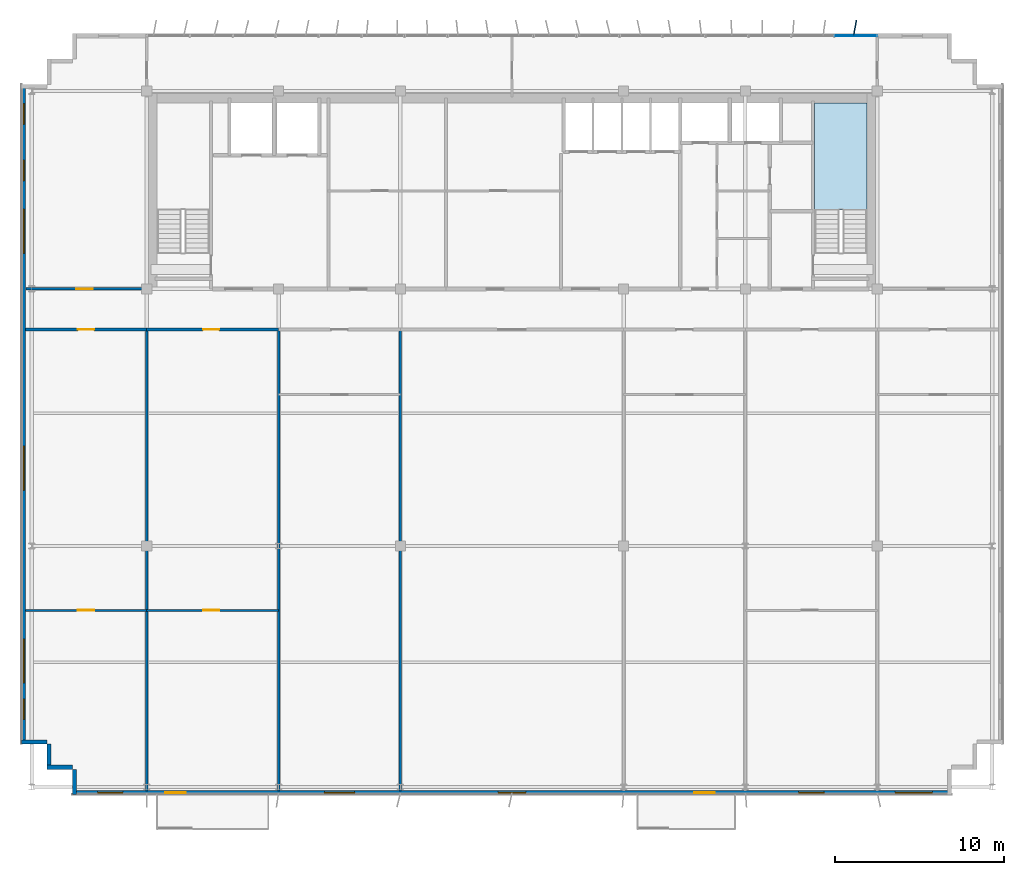
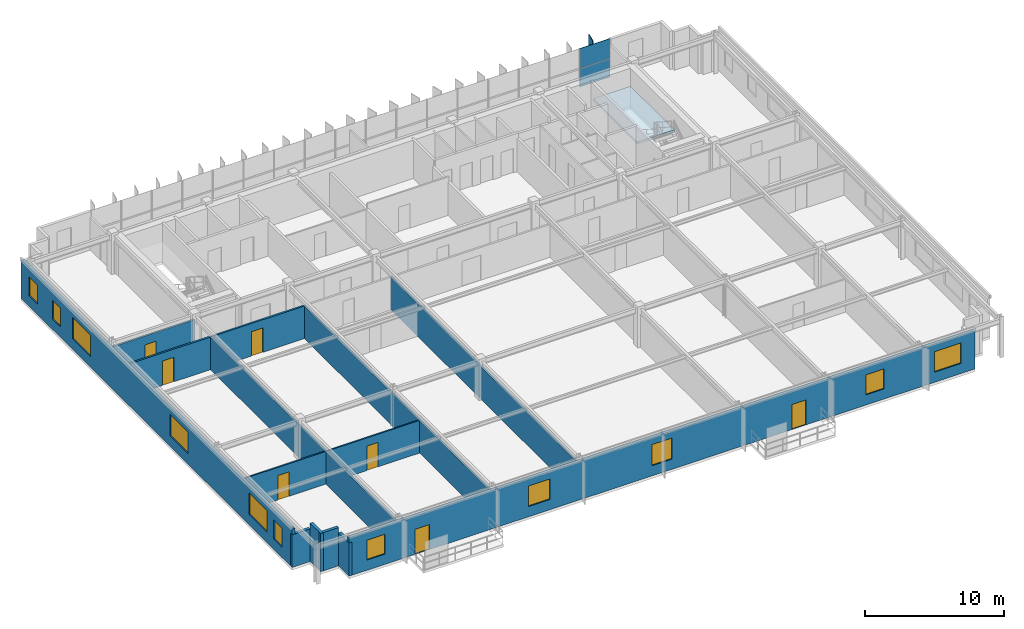
# One storey, part 16 of 21: 14 walls, 11 windows, 7 doors, 3 plates, 1 slab, 18 openings, 2 elements without a shape of their own.
"""IFC4 building model written with IfcOpenShell, lengths in metres."""

from ifc_helpers import new_model, si_unit, direction, frame, frame_2d, origin, origin_2d, place, context, subcontext, project, spatial, polyline, rectangle, outline, extrude, source, transform, mapped, material, layer, layer_set, type_object, element, fill, aggregate, save


model = new_model("IFC4")

# Units and contexts
model_context = context("Model", 3, precision=1e-05, world=origin(), true_north=direction((0.0, 1.0)))
body_context = subcontext(model_context, "Body", "Model", "MODEL_VIEW")
ifc_project = project(units=[si_unit("LENGTHUNIT", "METRE"), si_unit("AREAUNIT", "SQUARE_METRE"), si_unit("VOLUMEUNIT", "CUBIC_METRE"), si_unit("PLANEANGLEUNIT", "RADIAN"), si_unit("MASSUNIT", "GRAM", prefix="KILO")], contexts=[model_context])

# Site, building, storey
site_placement = place(None, origin())
site = spatial("IfcSite", under=ifc_project, at=site_placement, CompositionType="ELEMENT")
building_placement = place(site_placement, origin())
building = spatial("IfcBuilding", under=site, at=building_placement, Name="Trelvane Seafront Commons", CompositionType="ELEMENT")
storey_placement = place(building_placement, frame((0.0, 0.0, 255.89990234375)))
storey = spatial("IfcBuildingStorey", under=building, at=storey_placement, Name="L66", CompositionType="ELEMENT", Elevation=255.89990234375)

# Stair, slab
ifc_material_1 = material(Name="Concrete C40/50", Category="concrete")
stair_type = type_object("IfcStairType", Name="ARCH-STR-ST-2-R20-180", PredefinedType="HALF_TURN_STAIR", material=ifc_material_1)
stair_placement = place(storey_placement, origin())
stair = element("IfcStair", 1, at=stair_placement, inside=storey, type_object=stair_type, Name="L66 East Protected Firefighting Exit Stair ST-2", PredefinedType="HALF_TURN_STAIR")
ifc_layer_1 = layer(ifc_material_1, 0.199951171875, Name="ARCH-LND-200")
ifc_layer_set_1 = layer_set([ifc_layer_1], Name="Concrete C40/50")
slab_type = type_object("IfcSlabType", Name="ARCH-LND-200", PredefinedType="LANDING", material=ifc_layer_set_1)
slab_placement = place(storey_placement, frame((0.0, 0.0, 1.60009765625)))
slab = element("IfcSlab", 2, at=slab_placement, type_object=slab_type, Name="ST-2 landing 1", PredefinedType="LANDING", context=body_context, shape_type="SweptSolid", body=[
    extrude(outline(polyline([(58.199951171875, 38.070068359375), (58.199951171875, 44.39990234375), (55.10009765625, 44.39990234375), (55.10009765625, 38.070068359375), (58.199951171875, 38.070068359375)])), origin(), (0.0, 0.0, 1.0), 0.199951171875),
])
aggregate(stair, [slab])

# Plate
ifc_material_2 = material(Name="Anodised pale-silver aluminium", Category="aluminium")
ifc_layer_2 = layer(ifc_material_2, 0.06005859375, Name="ARCH-PLATE-FIN900")
ifc_layer_set_2 = layer_set([ifc_layer_2], Name="Anodised pale-silver aluminium")
plate_type_1 = type_object("IfcPlateType", Name="ARCH-PLATE-FIN900", PredefinedType="USERDEFINED", material=ifc_layer_set_2)
shared_shape_1 = source(origin(), body_context, "Body", "SweptSolid", [
    extrude(rectangle(XDim=0.89990234375, YDim=0.06005859375, at=origin_2d()), origin(), (0.0, 0.0, 1.0), 3.639892578125),
])
plate_1_placement = place(storey_placement, frame((57.482421875, 48.84228515625, -0.02001953125), z_axis=(0.0, 0.0, 1.0), x_axis=(0.183107234354, 0.983092946128, 0.0)))
element("IfcPlate", 3, at=plate_1_placement, inside=storey, type_object=plate_type_1, Name="FIN-L66-01841", ObjectType="FIN", PredefinedType="USERDEFINED", context=body_context, shape_type="MappedRepresentation", body=[
    mapped(shared_shape_1, transform((0.0, 0.0, 0.0), x_axis=(1.0, 0.0, 0.0), y_axis=(0.0, 1.0, 0.0), z_axis=(0.0, 0.0, 1.0), scale=1.0)),
])

# Curtain wall, plates
curtain_wall_type = type_object("IfcCurtainWallType", Name="ARCH-CW5-UPTOWER", PredefinedType="NOTDEFINED", material=ifc_material_2)
curtain_wall_placement = place(storey_placement, origin())
curtain_wall = element("IfcCurtainWall", 4, at=curtain_wall_placement, inside=storey, type_object=curtain_wall_type, Name="CW-L66-0110", PredefinedType="NOTDEFINED")
ifc_material_3 = material(Name="Low-E coastal double glazing", Category="glass")
ifc_layer_3 = layer(ifc_material_3, 0.033935546875, Name="ARCH-CW-GLAZ-34")
ifc_layer_set_3 = layer_set([ifc_layer_3], Name="Low-E coastal double glazing")
plate_type_2 = type_object("IfcPlateType", Name="ARCH-CW-GLAZ-34", PredefinedType="CURTAIN_PANEL", material=ifc_layer_set_3)
shared_shape_2 = source(origin(), body_context, "Body", "SweptSolid", [
    extrude(rectangle(XDim=2.51708984375, YDim=0.033935546875, at=origin_2d()), origin(), (0.0, 0.0, 1.0), 1.60009765625),
])
plate_2_placement = place(storey_placement, frame((57.529296875, 48.3701171875, 0.0), z_axis=(0.0, 0.0, 1.0), x_axis=(1.0, 0.0, 0.0)))
plate_2 = element("IfcPlate", 5, at=plate_2_placement, type_object=plate_type_2, Name="CW-L66-0110-P16-1", PredefinedType="CURTAIN_PANEL", context=body_context, shape_type="MappedRepresentation", body=[
    mapped(shared_shape_2, transform((0.0, 0.0, 0.0), x_axis=(1.0, 0.0, 0.0), y_axis=(0.0, 1.0, 0.0), z_axis=(0.0, 0.0, 1.0), scale=1.0)),
])
shared_shape_3 = source(origin(), body_context, "Body", "SweptSolid", [
    extrude(rectangle(XDim=2.51708984375, YDim=0.033935546875, at=origin_2d()), origin(), (0.0, 0.0, 1.0), 1.73388671875),
])
plate_3_placement = place(storey_placement, frame((57.529296875, 48.3701171875, 1.63623046875), z_axis=(0.0, 0.0, 1.0), x_axis=(1.0, 0.0, 0.0)))
plate_3 = element("IfcPlate", 6, at=plate_3_placement, type_object=plate_type_2, Name="CW-L66-0110-P16-2", PredefinedType="CURTAIN_PANEL", context=body_context, shape_type="MappedRepresentation", body=[
    mapped(shared_shape_3, transform((0.0, 0.0, 0.0), x_axis=(1.0, 0.0, 0.0), y_axis=(0.0, 1.0, 0.0), z_axis=(0.0, 0.0, 1.0), scale=1.0)),
])
aggregate(curtain_wall, [plate_2, plate_3])

# Walls
ifc_material_4 = material(Name="Precast concrete C40/50", Category="concrete")
ifc_layer_4 = layer(ifc_material_4, 0.239990234375, Name="ARCH-WALL-EXT240")
ifc_layer_set_4 = layer_set([ifc_layer_4], Name="Precast concrete C40/50")
wall_type_1 = type_object("IfcWallType", Name="ARCH-WALL-EXT240", PredefinedType="SOLIDWALL", material=ifc_layer_set_4)
for number, where, z_axis, x_axis, name in (
    (7, (11.199951171875, 5.1201171875, 0.0), (0.0, 0.0, 1.0), (-1.0, 0.0, 0.0), "EW-L66-01321"),
    (8, (9.820068359375, 5.0, 0.0), (0.0, 0.0, 1.0), (0.0, 1.0, 0.0), "EW-L66-01322"),
):
    element("IfcWall", number, at=place(storey_placement, frame(where, z_axis=z_axis, x_axis=x_axis)), inside=storey, type_object=wall_type_1, Name=name, PredefinedType="SOLIDWALL", context=body_context, shape_type="SweptSolid", body=[
        extrude(rectangle(XDim=1.5, YDim=0.239990234375, at=frame_2d((0.75, 0.0))), origin(), (0.0, 0.0, 1.0), 3.3701171875),
    ])
wall_1_placement = place(storey_placement, frame((9.699951171875, 6.6201171875, 0.0), z_axis=(0.0, 0.0, 1.0), x_axis=(-1.0, 0.0, 0.0)))
element("IfcWall", 9, at=wall_1_placement, inside=storey, type_object=wall_type_1, Name="EW-L66-01323", PredefinedType="SOLIDWALL", context=body_context, shape_type="SweptSolid", body=[
    extrude(rectangle(XDim=1.5, YDim=0.239990234375, at=frame_2d((0.75, 0.0))), origin(), (0.0, 0.0, 1.0), 2.8701171875),
])

# Wall, openings, windows
wall_2_placement = place(storey_placement, frame((8.320068359375, 6.5, 0.0), z_axis=(0.0, 0.0, 1.0), x_axis=(0.0, 1.0, 0.0)))
wall_2 = element("IfcWall", 10, at=wall_2_placement, inside=storey, type_object=wall_type_1, Name="EW-L66-01324", PredefinedType="SOLIDWALL", context=body_context, shape_type="SweptSolid", body=[
    extrude(rectangle(XDim=39.0, YDim=0.239990234375, at=frame_2d((19.5, 0.0))), origin(), (0.0, 0.0, 1.0), 3.3701171875),
])
opening_1_placement = place(wall_2_placement, frame((1.449951171875, 0.0, 0.919921875)))
opening_1 = element("IfcOpeningElement", 11, at=opening_1_placement, cuts=wall_2, Name="Opening W05", PredefinedType="OPENING", context=body_context, shape_type="SweptSolid", body=[
    extrude(rectangle(XDim=1.199951171875, YDim=1.64990234375, at=frame_2d((0.60009765625, 0.824951171875))), frame((0.0, 0.1298828125, 0.0), z_axis=(0.0, -1.0, 0.0), x_axis=(1.0, 0.0, 0.0)), (0.0, 0.0, 1.0), 0.260009765625),
])
opening_2_placement = place(wall_2_placement, frame((3.60009765625, 0.0, 0.919921875)))
opening_2 = element("IfcOpeningElement", 12, at=opening_2_placement, cuts=wall_2, Name="Opening W04", PredefinedType="OPENING", context=body_context, shape_type="SweptSolid", body=[
    extrude(rectangle(XDim=2.60009765625, YDim=1.89990234375, at=frame_2d((1.300048828125, 0.949951171875))), frame((0.0, 0.1298828125, 0.0), z_axis=(0.0, -1.0, 0.0), x_axis=(1.0, 0.0, 0.0)), (0.0, 0.0, 1.0), 0.260009765625),
])
opening_3_placement = place(wall_2_placement, frame((15.0, 0.0, 0.919921875)))
opening_3 = element("IfcOpeningElement", 13, at=opening_3_placement, cuts=wall_2, Name="Opening W04", PredefinedType="OPENING", context=body_context, shape_type="SweptSolid", body=[
    extrude(rectangle(XDim=2.60009765625, YDim=1.89990234375, at=frame_2d((1.300048828125, 0.949951171875))), frame((0.0, 0.1298828125, 0.0), z_axis=(0.0, -1.0, 0.0), x_axis=(1.0, 0.0, 0.0)), (0.0, 0.0, 1.0), 0.260009765625),
])
opening_4_placement = place(wall_2_placement, frame((29.0, 0.0, 0.919921875)))
opening_4 = element("IfcOpeningElement", 14, at=opening_4_placement, cuts=wall_2, Name="Opening W04", PredefinedType="OPENING", context=body_context, shape_type="SweptSolid", body=[
    extrude(rectangle(XDim=2.60009765625, YDim=1.89990234375, at=frame_2d((1.300048828125, 0.949951171875))), frame((0.0, 0.1298828125, 0.0), z_axis=(0.0, -1.0, 0.0), x_axis=(1.0, 0.0, 0.0)), (0.0, 0.0, 1.0), 0.260009765625),
])
opening_5_placement = place(wall_2_placement, frame((33.300048828125, 0.0, 0.919921875)))
opening_5 = element("IfcOpeningElement", 15, at=opening_5_placement, cuts=wall_2, Name="Opening W05", PredefinedType="OPENING", context=body_context, shape_type="SweptSolid", body=[
    extrude(rectangle(XDim=1.199951171875, YDim=1.64990234375, at=frame_2d((0.60009765625, 0.824951171875))), frame((0.0, 0.1298828125, 0.0), z_axis=(0.0, -1.0, 0.0), x_axis=(1.0, 0.0, 0.0)), (0.0, 0.0, 1.0), 0.260009765625),
])
opening_6_placement = place(wall_2_placement, frame((36.64990234375, 0.0, 0.919921875)))
opening_6 = element("IfcOpeningElement", 16, at=opening_6_placement, cuts=wall_2, Name="Opening W05", PredefinedType="OPENING", context=body_context, shape_type="SweptSolid", body=[
    extrude(rectangle(XDim=1.199951171875, YDim=1.64990234375, at=frame_2d((0.60009765625, 0.824951171875))), frame((0.0, 0.1298828125, 0.0), z_axis=(0.0, -1.0, 0.0), x_axis=(1.0, 0.0, 0.0)), (0.0, 0.0, 1.0), 0.260009765625),
])
window_type_1 = type_object("IfcWindowType", Name="ARCH-WIN-W04", PartitioningType="SINGLE_PANEL", PredefinedType="WINDOW", material=ifc_material_3)
shared_shape_4 = source(origin(), body_context, "Body", "SweptSolid", [
    extrude(rectangle(XDim=2.60009765625, YDim=1.89990234375, at=frame_2d((1.300048828125, 0.949951171875))), frame((0.0, 0.030029296875, 0.0), z_axis=(0.0, -1.0, 0.0), x_axis=(1.0, 0.0, 0.0)), (0.0, 0.0, 1.0), 0.06005859375),
])
window_1_placement = place(opening_2_placement, origin())
window_1 = element("IfcWindow", 17, at=window_1_placement, inside=storey, type_object=window_type_1, Name="WIN-L66-EW-01577", OverallHeight=1.89990234375, OverallWidth=2.60009765625, PartitioningType="SINGLE_PANEL", PredefinedType="WINDOW", context=body_context, shape_type="MappedRepresentation", body=[
    mapped(shared_shape_4, transform((0.0, 0.0, 0.0), x_axis=(1.0, 0.0, 0.0), y_axis=(0.0, 1.0, 0.0), z_axis=(0.0, 0.0, 1.0), scale=1.0)),
])
fill(opening_2, window_1)
window_2_placement = place(opening_3_placement, origin())
window_2 = element("IfcWindow", 18, at=window_2_placement, inside=storey, type_object=window_type_1, Name="WIN-L66-EW-01578", OverallHeight=1.89990234375, OverallWidth=2.60009765625, PartitioningType="SINGLE_PANEL", PredefinedType="WINDOW", context=body_context, shape_type="MappedRepresentation", body=[
    mapped(shared_shape_4, transform((0.0, 0.0, 0.0), x_axis=(1.0, 0.0, 0.0), y_axis=(0.0, 1.0, 0.0), z_axis=(0.0, 0.0, 1.0), scale=1.0)),
])
fill(opening_3, window_2)
window_3_placement = place(opening_4_placement, origin())
window_3 = element("IfcWindow", 19, at=window_3_placement, inside=storey, type_object=window_type_1, Name="WIN-L66-EW-01579", OverallHeight=1.89990234375, OverallWidth=2.60009765625, PartitioningType="SINGLE_PANEL", PredefinedType="WINDOW", context=body_context, shape_type="MappedRepresentation", body=[
    mapped(shared_shape_4, transform((0.0, 0.0, 0.0), x_axis=(1.0, 0.0, 0.0), y_axis=(0.0, 1.0, 0.0), z_axis=(0.0, 0.0, 1.0), scale=1.0)),
])
fill(opening_4, window_3)
window_type_2 = type_object("IfcWindowType", Name="ARCH-WIN-W05", PartitioningType="SINGLE_PANEL", PredefinedType="WINDOW", material=ifc_material_3)
shared_shape_5 = source(origin(), body_context, "Body", "SweptSolid", [
    extrude(rectangle(XDim=1.199951171875, YDim=1.64990234375, at=frame_2d((0.60009765625, 0.824951171875))), frame((0.0, 0.030029296875, 0.0), z_axis=(0.0, -1.0, 0.0), x_axis=(1.0, 0.0, 0.0)), (0.0, 0.0, 1.0), 0.06005859375),
])
window_4_placement = place(opening_1_placement, origin())
window_4 = element("IfcWindow", 20, at=window_4_placement, inside=storey, type_object=window_type_2, Name="WIN-L66-EW-01576", OverallHeight=1.64990234375, OverallWidth=1.199951171875, PartitioningType="SINGLE_PANEL", PredefinedType="WINDOW", context=body_context, shape_type="MappedRepresentation", body=[
    mapped(shared_shape_5, transform((0.0, 0.0, 0.0), x_axis=(1.0, 0.0, 0.0), y_axis=(0.0, 1.0, 0.0), z_axis=(0.0, 0.0, 1.0), scale=1.0)),
])
fill(opening_1, window_4)
window_5_placement = place(opening_5_placement, origin())
window_5 = element("IfcWindow", 21, at=window_5_placement, inside=storey, type_object=window_type_2, Name="WIN-L66-EW-01580", OverallHeight=1.64990234375, OverallWidth=1.199951171875, PartitioningType="SINGLE_PANEL", PredefinedType="WINDOW", context=body_context, shape_type="MappedRepresentation", body=[
    mapped(shared_shape_5, transform((0.0, 0.0, 0.0), x_axis=(1.0, 0.0, 0.0), y_axis=(0.0, 1.0, 0.0), z_axis=(0.0, 0.0, 1.0), scale=1.0)),
])
fill(opening_5, window_5)
window_6_placement = place(opening_6_placement, origin())
window_6 = element("IfcWindow", 22, at=window_6_placement, inside=storey, type_object=window_type_2, Name="WIN-L66-EW-01581", OverallHeight=1.64990234375, OverallWidth=1.199951171875, PartitioningType="SINGLE_PANEL", PredefinedType="WINDOW", context=body_context, shape_type="MappedRepresentation", body=[
    mapped(shared_shape_5, transform((0.0, 0.0, 0.0), x_axis=(1.0, 0.0, 0.0), y_axis=(0.0, 1.0, 0.0), z_axis=(0.0, 0.0, 1.0), scale=1.0)),
])
fill(opening_6, window_6)

# Wall, openings, doors, windows
wall_3_placement = place(storey_placement, frame((63.199951171875, 3.6201171875, 0.0), z_axis=(0.0, 0.0, 1.0), x_axis=(-1.0, 0.0, 0.0)))
wall_3 = element("IfcWall", 23, at=wall_3_placement, inside=storey, type_object=wall_type_1, Name="EW-L66-01338", PredefinedType="SOLIDWALL", context=body_context, shape_type="SweptSolid", body=[
    extrude(rectangle(XDim=52.0, YDim=0.239990234375, at=frame_2d((26.0, 0.0))), origin(), (0.0, 0.0, 1.0), 3.3701171875),
])
opening_7_placement = place(wall_3_placement, frame((1.14501953125, 0.0, 0.89990234375)))
opening_7 = element("IfcOpeningElement", 24, at=opening_7_placement, cuts=wall_3, Name="Opening W02", PredefinedType="OPENING", context=body_context, shape_type="SweptSolid", body=[
    extrude(rectangle(XDim=2.199951171875, YDim=1.800048828125, at=frame_2d((1.10009765625, 0.89990234375))), frame((0.0, 0.1298828125, 0.0), z_axis=(0.0, -1.0, 0.0), x_axis=(1.0, 0.0, 0.0)), (0.0, 0.0, 1.0), 0.260009765625),
])
opening_8_placement = place(wall_3_placement, frame((7.550048828125, 0.0, 0.89990234375)))
opening_8 = element("IfcOpeningElement", 25, at=opening_8_placement, cuts=wall_3, Name="Opening W03", PredefinedType="OPENING", context=body_context, shape_type="SweptSolid", body=[
    extrude(rectangle(XDim=1.5, YDim=1.75, at=frame_2d((0.75, 0.875))), frame((0.0, 0.1298828125, 0.0), z_axis=(0.0, -1.0, 0.0), x_axis=(1.0, 0.0, 0.0)), (0.0, 0.0, 1.0), 0.260009765625),
])
opening_9_placement = place(wall_3_placement, frame((14.01708984375, 0.0, 0.0)))
opening_9 = element("IfcOpeningElement", 26, at=opening_9_placement, cuts=wall_3, Name="Opening BD-L66-134", PredefinedType="OPENING", context=body_context, shape_type="SweptSolid", body=[
    extrude(rectangle(XDim=1.199951171875, YDim=2.199951171875, at=frame_2d((0.60009765625, 1.10009765625))), frame((0.0, 0.1298828125, 0.0), z_axis=(0.0, -1.0, 0.0), x_axis=(1.0, 0.0, 0.0)), (0.0, 0.0, 1.0), 0.260009765625),
])
opening_10_placement = place(wall_3_placement, frame((25.175048828125, 0.0, 0.89990234375)))
opening_10 = element("IfcOpeningElement", 27, at=opening_10_placement, cuts=wall_3, Name="Opening W07", PredefinedType="OPENING", context=body_context, shape_type="SweptSolid", body=[
    extrude(rectangle(XDim=1.64990234375, YDim=1.85009765625, at=frame_2d((0.824951171875, 0.925048828125))), frame((0.0, 0.1298828125, 0.0), z_axis=(0.0, -1.0, 0.0), x_axis=(1.0, 0.0, 0.0)), (0.0, 0.0, 1.0), 0.260009765625),
])
opening_11_placement = place(wall_3_placement, frame((35.300048828125, 0.0, 0.89990234375)))
opening_11 = element("IfcOpeningElement", 28, at=opening_11_placement, cuts=wall_3, Name="Opening W01", PredefinedType="OPENING", context=body_context, shape_type="SweptSolid", body=[
    extrude(rectangle(XDim=1.800048828125, YDim=1.800048828125, at=frame_2d((0.89990234375, 0.89990234375))), frame((0.0, 0.1298828125, 0.0), z_axis=(0.0, -1.0, 0.0), x_axis=(1.0, 0.0, 0.0)), (0.0, 0.0, 1.0), 0.260009765625),
])
opening_12_placement = place(wall_3_placement, frame((45.302001953125, 0.0, 0.0)))
opening_12 = element("IfcOpeningElement", 29, at=opening_12_placement, cuts=wall_3, Name="Opening BD-L66-135", PredefinedType="OPENING", context=body_context, shape_type="SweptSolid", body=[
    extrude(rectangle(XDim=1.199951171875, YDim=2.199951171875, at=frame_2d((0.60009765625, 1.10009765625))), frame((0.0, 0.1298828125, 0.0), z_axis=(0.0, -1.0, 0.0), x_axis=(1.0, 0.0, 0.0)), (0.0, 0.0, 1.0), 0.260009765625),
])
opening_13_placement = place(wall_3_placement, frame((49.0048828125, 0.0, 0.89990234375)))
opening_13 = element("IfcOpeningElement", 30, at=opening_13_placement, cuts=wall_3, Name="Opening W03", PredefinedType="OPENING", context=body_context, shape_type="SweptSolid", body=[
    extrude(rectangle(XDim=1.5, YDim=1.75, at=frame_2d((0.75, 0.875))), frame((0.0, 0.1298828125, 0.0), z_axis=(0.0, -1.0, 0.0), x_axis=(1.0, 0.0, 0.0)), (0.0, 0.0, 1.0), 0.260009765625),
])
ifc_material_5 = material(Name="Powder-coated aluminium frame", Category="aluminium")
door_type_1 = type_object("IfcDoorType", Name="ARCH-DR-BAL1200", OperationType="NOTDEFINED", PredefinedType="DOOR", material=ifc_material_5)
shared_shape_6 = source(origin(), body_context, "Body", "SweptSolid", [
    extrude(rectangle(XDim=1.199951171875, YDim=2.199951171875, at=frame_2d((0.60009765625, 1.10009765625))), frame((0.0, 0.02490234375, 0.0), z_axis=(0.0, -1.0, 0.0), x_axis=(1.0, 0.0, 0.0)), (0.0, 0.0, 1.0), 0.050048828125),
])
door_1_placement = place(opening_9_placement, origin())
door_1 = element("IfcDoor", 31, at=door_1_placement, inside=storey, type_object=door_type_1, Name="L66 Balcony Terrace Access Door", OperationType="SINGLE_SWING_LEFT", OverallHeight=2.199951171875, OverallWidth=1.199951171875, PredefinedType="DOOR", context=body_context, shape_type="MappedRepresentation", body=[
    mapped(shared_shape_6, transform((0.0, 0.0, 0.0), x_axis=(1.0, 0.0, 0.0), y_axis=(0.0, 1.0, 0.0), z_axis=(0.0, 0.0, 1.0), scale=1.0)),
])
fill(opening_9, door_1)
door_2_placement = place(opening_12_placement, origin())
door_2 = element("IfcDoor", 32, at=door_2_placement, inside=storey, type_object=door_type_1, Name="L66 Balcony Terrace Access Door", OperationType="SINGLE_SWING_LEFT", OverallHeight=2.199951171875, OverallWidth=1.199951171875, PredefinedType="DOOR", context=body_context, shape_type="MappedRepresentation", body=[
    mapped(shared_shape_6, transform((0.0, 0.0, 0.0), x_axis=(1.0, 0.0, 0.0), y_axis=(0.0, 1.0, 0.0), z_axis=(0.0, 0.0, 1.0), scale=1.0)),
])
fill(opening_12, door_2)
window_type_3 = type_object("IfcWindowType", Name="ARCH-WIN-W02", PartitioningType="SINGLE_PANEL", PredefinedType="WINDOW", material=ifc_material_3)
shared_shape_7 = source(origin(), body_context, "Body", "SweptSolid", [
    extrude(rectangle(XDim=2.199951171875, YDim=1.800048828125, at=frame_2d((1.10009765625, 0.89990234375))), frame((0.0, 0.030029296875, 0.0), z_axis=(0.0, -1.0, 0.0), x_axis=(1.0, 0.0, 0.0)), (0.0, 0.0, 1.0), 0.06005859375),
])
window_7_placement = place(opening_7_placement, origin())
window_7 = element("IfcWindow", 33, at=window_7_placement, inside=storey, type_object=window_type_3, Name="WIN-L66-01589", OverallHeight=1.800048828125, OverallWidth=2.199951171875, PartitioningType="SINGLE_PANEL", PredefinedType="WINDOW", context=body_context, shape_type="MappedRepresentation", body=[
    mapped(shared_shape_7, transform((0.0, 0.0, 0.0), x_axis=(1.0, 0.0, 0.0), y_axis=(0.0, 1.0, 0.0), z_axis=(0.0, 0.0, 1.0), scale=1.0)),
])
fill(opening_7, window_7)
window_type_4 = type_object("IfcWindowType", Name="ARCH-WIN-W03", PartitioningType="SINGLE_PANEL", PredefinedType="WINDOW", material=ifc_material_3)
shared_shape_8 = source(origin(), body_context, "Body", "SweptSolid", [
    extrude(rectangle(XDim=1.5, YDim=1.75, at=frame_2d((0.75, 0.875))), frame((0.0, 0.030029296875, 0.0), z_axis=(0.0, -1.0, 0.0), x_axis=(1.0, 0.0, 0.0)), (0.0, 0.0, 1.0), 0.06005859375),
])
window_8_placement = place(opening_8_placement, origin())
window_8 = element("IfcWindow", 34, at=window_8_placement, inside=storey, type_object=window_type_4, Name="WIN-L66-01590", OverallHeight=1.75, OverallWidth=1.5, PartitioningType="SINGLE_PANEL", PredefinedType="WINDOW", context=body_context, shape_type="MappedRepresentation", body=[
    mapped(shared_shape_8, transform((0.0, 0.0, 0.0), x_axis=(1.0, 0.0, 0.0), y_axis=(0.0, 1.0, 0.0), z_axis=(0.0, 0.0, 1.0), scale=1.0)),
])
fill(opening_8, window_8)
window_9_placement = place(opening_13_placement, origin())
window_9 = element("IfcWindow", 35, at=window_9_placement, inside=storey, type_object=window_type_4, Name="WIN-L66-01593", OverallHeight=1.75, OverallWidth=1.5, PartitioningType="SINGLE_PANEL", PredefinedType="WINDOW", context=body_context, shape_type="MappedRepresentation", body=[
    mapped(shared_shape_8, transform((0.0, 0.0, 0.0), x_axis=(1.0, 0.0, 0.0), y_axis=(0.0, 1.0, 0.0), z_axis=(0.0, 0.0, 1.0), scale=1.0)),
])
fill(opening_13, window_9)
window_type_5 = type_object("IfcWindowType", Name="ARCH-WIN-W01", PartitioningType="SINGLE_PANEL", PredefinedType="WINDOW", material=ifc_material_3)
shared_shape_9 = source(origin(), body_context, "Body", "SweptSolid", [
    extrude(rectangle(XDim=1.800048828125, YDim=1.800048828125, at=frame_2d((0.89990234375, 0.89990234375))), frame((0.0, 0.030029296875, 0.0), z_axis=(0.0, -1.0, 0.0), x_axis=(1.0, 0.0, 0.0)), (0.0, 0.0, 1.0), 0.06005859375),
])
window_10_placement = place(opening_11_placement, origin())
window_10 = element("IfcWindow", 36, at=window_10_placement, inside=storey, type_object=window_type_5, Name="WIN-L66-01592", OverallHeight=1.800048828125, OverallWidth=1.800048828125, PartitioningType="SINGLE_PANEL", PredefinedType="WINDOW", context=body_context, shape_type="MappedRepresentation", body=[
    mapped(shared_shape_9, transform((0.0, 0.0, 0.0), x_axis=(1.0, 0.0, 0.0), y_axis=(0.0, 1.0, 0.0), z_axis=(0.0, 0.0, 1.0), scale=1.0)),
])
fill(opening_11, window_10)
window_type_6 = type_object("IfcWindowType", Name="ARCH-WIN-W07", PartitioningType="SINGLE_PANEL", PredefinedType="WINDOW", material=ifc_material_3)
shared_shape_10 = source(origin(), body_context, "Body", "SweptSolid", [
    extrude(rectangle(XDim=1.64990234375, YDim=1.85009765625, at=frame_2d((0.824951171875, 0.925048828125))), frame((0.0, 0.030029296875, 0.0), z_axis=(0.0, -1.0, 0.0), x_axis=(1.0, 0.0, 0.0)), (0.0, 0.0, 1.0), 0.06005859375),
])
window_11_placement = place(opening_10_placement, origin())
window_11 = element("IfcWindow", 37, at=window_11_placement, inside=storey, type_object=window_type_6, Name="WIN-L66-01591", OverallHeight=1.85009765625, OverallWidth=1.64990234375, PartitioningType="SINGLE_PANEL", PredefinedType="WINDOW", context=body_context, shape_type="MappedRepresentation", body=[
    mapped(shared_shape_10, transform((0.0, 0.0, 0.0), x_axis=(1.0, 0.0, 0.0), y_axis=(0.0, 1.0, 0.0), z_axis=(0.0, 0.0, 1.0), scale=1.0)),
])
fill(opening_10, window_11)

# Wall
wall_4_placement = place(storey_placement, frame((11.320068359375, 3.5, 0.0), z_axis=(0.0, 0.0, 1.0), x_axis=(0.0, 1.0, 0.0)))
element("IfcWall", 38, at=wall_4_placement, inside=storey, type_object=wall_type_1, Name="EW-L66-01339", PredefinedType="SOLIDWALL", context=body_context, shape_type="SweptSolid", body=[
    extrude(rectangle(XDim=1.5, YDim=0.239990234375, at=frame_2d((0.75, 0.0))), origin(), (0.0, 0.0, 1.0), 2.920166015625),
])

# Wall, opening, door
ifc_material_6 = material(Name="Gypsum Drywall Acoustic Partition")
ifc_layer_5 = layer(ifc_material_6, 0.1201171875, Name="ARCH-WALL-PART120")
ifc_layer_set_5 = layer_set([ifc_layer_5], Name="Gypsum Drywall Acoustic Partition")
wall_type_2 = type_object("IfcWallType", Name="ARCH-WALL-PART120", PredefinedType="PARTITIONING", material=ifc_layer_set_5)
wall_5_placement = place(storey_placement, frame((8.425048828125, 14.39990234375, 0.0), z_axis=(0.0, 0.0, 1.0), x_axis=(1.0, 0.0, 0.0)))
wall_5 = element("IfcWall", 39, at=wall_5_placement, inside=storey, type_object=wall_type_2, Name="W-L66-U1-DIV-048", PredefinedType="PARTITIONING", context=body_context, shape_type="SweptSolid", body=[
    extrude(rectangle(XDim=7.175048828125, YDim=0.1201171875, at=frame_2d((3.58740234375, 0.0))), origin(), (0.0, 0.0, 1.0), 2.8701171875),
])
opening_14_placement = place(wall_5_placement, frame((3.112060546875, 0.0, 0.0)))
opening_14 = element("IfcOpeningElement", 40, at=opening_14_placement, cuts=wall_5, Name="Opening D-L66-29", PredefinedType="OPENING", context=body_context, shape_type="SweptSolid", body=[
    extrude(rectangle(XDim=0.949951171875, YDim=2.14990234375, at=frame_2d((0.47509765625, 1.074951171875))), frame((0.0, 0.070068359375, 0.0), z_axis=(0.0, -1.0, 0.0), x_axis=(1.0, 0.0, 0.0)), (0.0, 0.0, 1.0), 0.14013671875),
])
ifc_material_7 = material(Name="Acoustic timber door leaf", Category="wood")
door_type_2 = type_object("IfcDoorType", Name="ARCH-DR-INT950", OperationType="NOTDEFINED", PredefinedType="DOOR", material=ifc_material_7)
shared_shape_11 = source(origin(), body_context, "Body", "SweptSolid", [
    extrude(rectangle(XDim=0.949951171875, YDim=2.14990234375, at=frame_2d((0.47509765625, 1.074951171875))), frame((0.0, 0.02490234375, 0.0), z_axis=(0.0, -1.0, 0.0), x_axis=(1.0, 0.0, 0.0)), (0.0, 0.0, 1.0), 0.050048828125),
])
door_3_placement = place(opening_14_placement, origin())
door_3 = element("IfcDoor", 41, at=door_3_placement, inside=storey, type_object=door_type_2, Name="L66 Door 29", OperationType="SINGLE_SWING_LEFT", OverallHeight=2.14990234375, OverallWidth=0.949951171875, PredefinedType="DOOR", context=body_context, shape_type="MappedRepresentation", body=[
    mapped(shared_shape_11, transform((0.0, 0.0, 0.0), x_axis=(1.0, 0.0, 0.0), y_axis=(0.0, 1.0, 0.0), z_axis=(0.0, 0.0, 1.0), scale=1.0)),
])
fill(opening_14, door_3)

wall_6_placement = place(storey_placement, frame((15.60009765625, 14.39990234375, 0.0), z_axis=(0.0, 0.0, 1.0), x_axis=(1.0, 0.0, 0.0)))
wall_6 = element("IfcWall", 42, at=wall_6_placement, inside=storey, type_object=wall_type_2, Name="W-L66-U2-DIV-050", PredefinedType="PARTITIONING", context=body_context, shape_type="SweptSolid", body=[
    extrude(rectangle(XDim=7.7998046875, YDim=0.1201171875, at=frame_2d((3.89990234375, 0.0))), origin(), (0.0, 0.0, 1.0), 2.8701171875),
])
opening_15_placement = place(wall_6_placement, frame((3.3330078125, 0.0, 0.0)))
opening_15 = element("IfcOpeningElement", 43, at=opening_15_placement, cuts=wall_6, Name="Opening D-L66-31", PredefinedType="OPENING", context=body_context, shape_type="SweptSolid", body=[
    extrude(rectangle(XDim=0.949951171875, YDim=2.14990234375, at=frame_2d((0.47509765625, 1.074951171875))), frame((0.0, 0.070068359375, 0.0), z_axis=(0.0, -1.0, 0.0), x_axis=(1.0, 0.0, 0.0)), (0.0, 0.0, 1.0), 0.14013671875),
])
door_4_placement = place(opening_15_placement, origin())
door_4 = element("IfcDoor", 44, at=door_4_placement, inside=storey, type_object=door_type_2, Name="L66 Door 31", OperationType="SINGLE_SWING_LEFT", OverallHeight=2.14990234375, OverallWidth=0.949951171875, PredefinedType="DOOR", context=body_context, shape_type="MappedRepresentation", body=[
    mapped(shared_shape_11, transform((0.0, 0.0, 0.0), x_axis=(1.0, 0.0, 0.0), y_axis=(0.0, 1.0, 0.0), z_axis=(0.0, 0.0, 1.0), scale=1.0)),
])
fill(opening_15, door_4)

ifc_layer_6 = layer(ifc_material_6, 0.14990234375, Name="ARCH-WALL-PART150")
ifc_layer_set_6 = layer_set([ifc_layer_6], Name="Gypsum Drywall Acoustic Partition")
wall_type_3 = type_object("IfcWallType", Name="ARCH-WALL-PART150", PredefinedType="PARTITIONING", material=ifc_layer_set_6)
wall_7_placement = place(storey_placement, frame((8.449951171875, 33.39990234375, 0.0), z_axis=(0.0, 0.0, 1.0), x_axis=(1.0, 0.0, 0.0)))
wall_7 = element("IfcWall", 45, at=wall_7_placement, inside=storey, type_object=wall_type_3, Name="W-L66-NW-ENT-036", PredefinedType="PARTITIONING", context=body_context, shape_type="SweptSolid", body=[
    extrude(rectangle(XDim=7.150146484375, YDim=0.14990234375, at=frame_2d((3.5751953125, 0.0))), origin(), (0.0, 0.0, 1.0), 2.920166015625),
])
opening_16_placement = place(wall_7_placement, frame((3.0, 0.0, 0.0)))
opening_16 = element("IfcOpeningElement", 46, at=opening_16_placement, cuts=wall_7, Name="Opening FD-L66-23", PredefinedType="OPENING", context=body_context, shape_type="SweptSolid", body=[
    extrude(rectangle(XDim=0.949951171875, YDim=2.14990234375, at=frame_2d((0.47509765625, 1.074951171875))), frame((0.0, 0.0849609375, 0.0), z_axis=(0.0, -1.0, 0.0), x_axis=(1.0, 0.0, 0.0)), (0.0, 0.0, 1.0), 0.169921875),
])
door_type_3 = type_object("IfcDoorType", Name="ARCH-DR-FD60-950", OperationType="NOTDEFINED", PredefinedType="DOOR", material=ifc_material_5)
door_5_placement = place(opening_16_placement, origin())
door_5 = element("IfcDoor", 47, at=door_5_placement, inside=storey, type_object=door_type_3, Name="L66 NW Suite Entrance Door", OperationType="SINGLE_SWING_LEFT", OverallHeight=2.14990234375, OverallWidth=0.949951171875, PredefinedType="DOOR", context=body_context, shape_type="MappedRepresentation", body=[
    mapped(shared_shape_11, transform((0.0, 0.0, 0.0), x_axis=(1.0, 0.0, 0.0), y_axis=(0.0, 1.0, 0.0), z_axis=(0.0, 0.0, 1.0), scale=1.0)),
])
fill(opening_16, door_5)

# Walls
for number, where, z_axis, x_axis, name in (
    (48, (15.60009765625, 3.72509765625, 0.0), (0.0, 0.0, 1.0), (0.0, 1.0, 0.0), "W-L66-PW-1-041"),
    (49, (23.39990234375, 3.72509765625, 0.0), (0.0, 0.0, 1.0), (0.0, 1.0, 0.0), "W-L66-PW-2-042"),
    (50, (30.60009765625, 3.72509765625, 0.0), (0.0, 0.0, 1.0), (0.0, 1.0, 0.0), "W-L66-PW-3-043"),
):
    element("IfcWall", number, at=place(storey_placement, frame(where, z_axis=z_axis, x_axis=x_axis)), inside=storey, type_object=wall_type_3, Name=name, PredefinedType="PARTITIONING", context=body_context, shape_type="SweptSolid", body=[
        extrude(rectangle(XDim=27.27490234375, YDim=0.14990234375, at=frame_2d((13.637451171875, 0.0))), origin(), (0.0, 0.0, 1.0), 2.8701171875),
    ])

# Wall, opening, door
wall_8_placement = place(storey_placement, frame((8.425048828125, 31.0, 0.0), z_axis=(0.0, 0.0, 1.0), x_axis=(1.0, 0.0, 0.0)))
wall_8 = element("IfcWall", 51, at=wall_8_placement, inside=storey, type_object=wall_type_3, Name="W-L66-CS-BAY-1-047", PredefinedType="PARTITIONING", context=body_context, shape_type="SweptSolid", body=[
    extrude(rectangle(XDim=7.175048828125, YDim=0.14990234375, at=frame_2d((3.58740234375, 0.0))), origin(), (0.0, 0.0, 1.0), 2.8701171875),
])
opening_17_placement = place(wall_8_placement, frame((3.112060546875, 0.0, 0.0)))
opening_17 = element("IfcOpeningElement", 52, at=opening_17_placement, cuts=wall_8, Name="Opening FD-L66-28", PredefinedType="OPENING", context=body_context, shape_type="SweptSolid", body=[
    extrude(rectangle(XDim=0.949951171875, YDim=2.14990234375, at=frame_2d((0.47509765625, 1.074951171875))), frame((0.0, 0.0849609375, 0.0), z_axis=(0.0, -1.0, 0.0), x_axis=(1.0, 0.0, 0.0)), (0.0, 0.0, 1.0), 0.169921875),
])
door_6_placement = place(opening_17_placement, origin())
door_6 = element("IfcDoor", 53, at=door_6_placement, inside=storey, type_object=door_type_3, Name="L66 Bay 01 Entrance Door", OperationType="SINGLE_SWING_RIGHT", OverallHeight=2.14990234375, OverallWidth=0.949951171875, PredefinedType="DOOR", context=body_context, shape_type="MappedRepresentation", body=[
    mapped(shared_shape_11, transform((0.0, 0.0, 0.0), x_axis=(1.0, 0.0, 0.0), y_axis=(0.0, 1.0, 0.0), z_axis=(0.0, 0.0, 1.0), scale=1.0)),
])
fill(opening_17, door_6)

wall_9_placement = place(storey_placement, frame((15.60009765625, 31.0, 0.0), z_axis=(0.0, 0.0, 1.0), x_axis=(1.0, 0.0, 0.0)))
wall_9 = element("IfcWall", 54, at=wall_9_placement, inside=storey, type_object=wall_type_3, Name="W-L66-CS-BAY-2-049", PredefinedType="PARTITIONING", context=body_context, shape_type="SweptSolid", body=[
    extrude(rectangle(XDim=7.7998046875, YDim=0.14990234375, at=frame_2d((3.89990234375, 0.0))), origin(), (0.0, 0.0, 1.0), 2.8701171875),
])
opening_18_placement = place(wall_9_placement, frame((3.3330078125, 0.0, 0.0)))
opening_18 = element("IfcOpeningElement", 55, at=opening_18_placement, cuts=wall_9, Name="Opening FD-L66-30", PredefinedType="OPENING", context=body_context, shape_type="SweptSolid", body=[
    extrude(rectangle(XDim=0.949951171875, YDim=2.14990234375, at=frame_2d((0.47509765625, 1.074951171875))), frame((0.0, 0.0849609375, 0.0), z_axis=(0.0, -1.0, 0.0), x_axis=(1.0, 0.0, 0.0)), (0.0, 0.0, 1.0), 0.169921875),
])
door_7_placement = place(opening_18_placement, origin())
door_7 = element("IfcDoor", 56, at=door_7_placement, inside=storey, type_object=door_type_3, Name="L66 Bay 02 Entrance Door", OperationType="SINGLE_SWING_RIGHT", OverallHeight=2.14990234375, OverallWidth=0.949951171875, PredefinedType="DOOR", context=body_context, shape_type="MappedRepresentation", body=[
    mapped(shared_shape_11, transform((0.0, 0.0, 0.0), x_axis=(1.0, 0.0, 0.0), y_axis=(0.0, 1.0, 0.0), z_axis=(0.0, 0.0, 1.0), scale=1.0)),
])
fill(opening_18, door_7)

save(model, "model.ifc")
